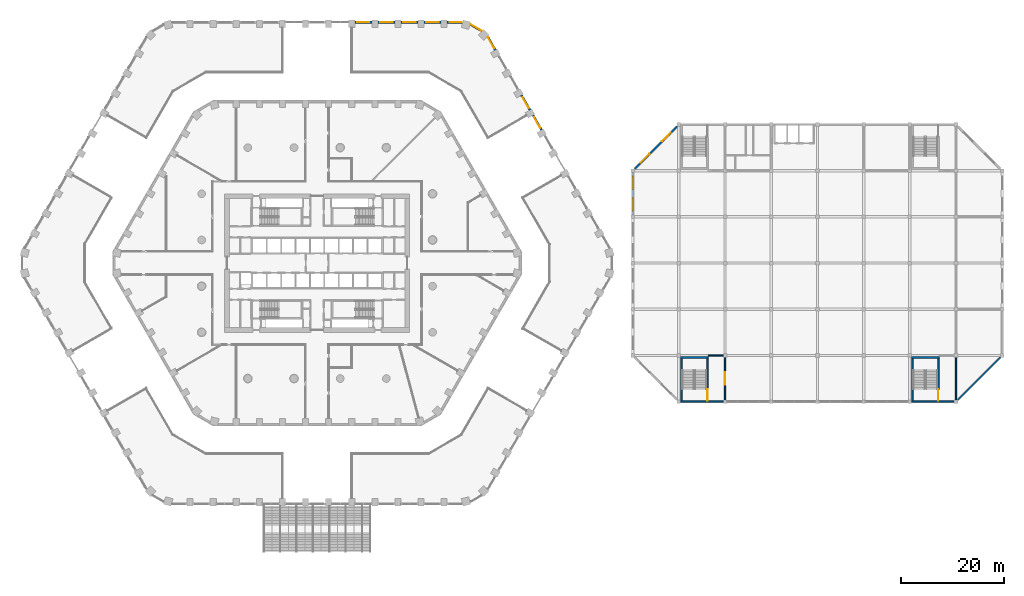
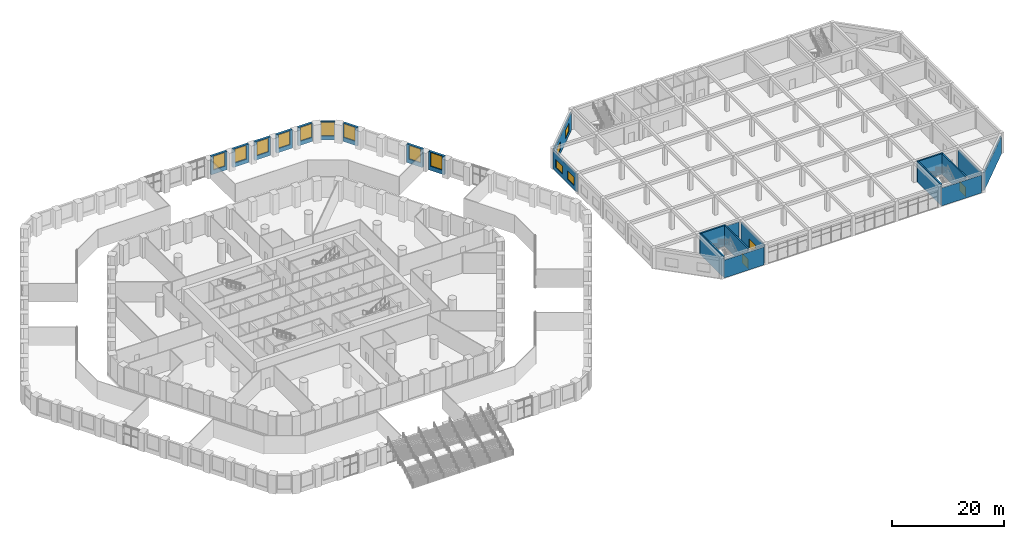
# One storey, part 26 of 42: 23 walls, 13 windows, 3 doors, 16 openings.
"""IFC4 building model written with IfcOpenShell, lengths in metres."""

from ifc_helpers import new_model, si_unit, direction, frame, frame_2d, origin, place, context, subcontext, project, spatial, rectangle, extrude, material, layer, layer_set, type_object, element, fill, save


model = new_model("IFC4")

# Units and contexts
model_context = context("Model", 3, precision=1e-05, world=origin(), true_north=direction((0.0, 1.0)))
body_context = subcontext(model_context, "Body", "Model", "MODEL_VIEW")
ifc_project = project(units=[si_unit("LENGTHUNIT", "METRE"), si_unit("AREAUNIT", "SQUARE_METRE"), si_unit("VOLUMEUNIT", "CUBIC_METRE"), si_unit("PLANEANGLEUNIT", "RADIAN"), si_unit("MASSUNIT", "GRAM", prefix="KILO")], contexts=[model_context])

# Site, building, storey
site_placement = place(None, origin())
site = spatial("IfcSite", under=ifc_project, at=site_placement, CompositionType="ELEMENT")
building_placement = place(site_placement, origin())
building = spatial("IfcBuilding", under=site, at=building_placement, Name="Dhurran Vertical Campus", CompositionType="ELEMENT")
storey_placement = place(building_placement, frame((0.0, 0.0, 6.0)))
storey = spatial("IfcBuildingStorey", under=building, at=storey_placement, Name="L01", CompositionType="ELEMENT", Elevation=6.0)

# Wall, opening, window
ifc_material_1 = material(Name="Precast concrete C50/60", Category="concrete")
ifc_layer_1 = layer(ifc_material_1, 0.449951171875)
ifc_layer_set_1 = layer_set([ifc_layer_1], Name="Precast concrete C50/60")
wall_type_1 = type_object("IfcWallType", Name="Precast base wall 450", PredefinedType="SOLIDWALL", material=ifc_layer_set_1)
wall_1_placement = place(storey_placement, frame((43.728759765625, 25.940185546875, 0.0), z_axis=(0.0, 0.0, 1.0), x_axis=(-0.49995947208, 0.866048801325, 0.0)))
wall_1 = element("IfcWall", 1, at=wall_1_placement, inside=storey, type_object=wall_type_1, Name="EW2 L01.32 ring", PredefinedType="SOLIDWALL", context=body_context, shape_type="SweptSolid", body=[
    extrude(rectangle(XDim=3.299072265625, YDim=0.449951171875, at=frame_2d((1.6494140625, 0.0))), origin(), (0.0, 0.0, 1.0), 4.050048828125),
])
opening_1_placement = place(wall_1_placement, frame((0.449462890625, 0.0, 0.89990234375)))
opening_1 = element("IfcOpeningElement", 2, at=opening_1_placement, cuts=wall_1, Name="Opening WT2", PredefinedType="OPENING", context=body_context, shape_type="SweptSolid", body=[
    extrude(rectangle(XDim=2.39990234375, YDim=3.0, at=frame_2d((1.199951171875, 1.5))), frame((0.0, 0.23486328125, 0.0), z_axis=(0.0, -1.0, 0.0), x_axis=(1.0, 0.0, 0.0)), (0.0, 0.0, 1.0), 0.469970703125),
])
ifc_material_2 = material(Name="Aluminium frame with solar-control glass", Category="aluminium")
window_type_1 = type_object("IfcWindowType", Name="Podium window 2400 x 3000", PartitioningType="SINGLE_PANEL", PredefinedType="WINDOW", material=ifc_material_2)
window_1_placement = place(opening_1_placement, origin())
window_1 = element("IfcWindow", 3, at=window_1_placement, inside=storey, type_object=window_type_1, Name="WT2 L01.32 ring", OverallHeight=3.0, OverallWidth=2.39990234375, PartitioningType="SINGLE_PANEL", PredefinedType="WINDOW", context=body_context, shape_type="SweptSolid", body=[
    extrude(rectangle(XDim=2.39990234375, YDim=3.0, at=frame_2d((1.199951171875, 1.5))), frame((0.0, 0.030029296875, 0.0), z_axis=(0.0, -1.0, 0.0), x_axis=(1.0, 0.0, 0.0)), (0.0, 0.0, 1.0), 0.06005859375),
])
fill(opening_1, window_1)

wall_2_placement = place(storey_placement, frame((41.478759765625, 29.83740234375, 0.0), z_axis=(0.0, 0.0, 1.0), x_axis=(-0.499991515992, 0.866030301974, 0.0)))
wall_2 = element("IfcWall", 4, at=wall_2_placement, inside=storey, type_object=wall_type_1, Name="EW2 L01.33 ring", PredefinedType="SOLIDWALL", context=body_context, shape_type="SweptSolid", body=[
    extrude(rectangle(XDim=3.298828125, YDim=0.449951171875, at=frame_2d((1.6494140625, 0.0))), origin(), (0.0, 0.0, 1.0), 4.050048828125),
])
opening_2_placement = place(wall_2_placement, frame((0.449462890625, 0.0, 0.89990234375)))
opening_2 = element("IfcOpeningElement", 5, at=opening_2_placement, cuts=wall_2, Name="Opening WT2", PredefinedType="OPENING", context=body_context, shape_type="SweptSolid", body=[
    extrude(rectangle(XDim=2.39990234375, YDim=3.0, at=frame_2d((1.199951171875, 1.5))), frame((0.0, 0.23486328125, 0.0), z_axis=(0.0, -1.0, 0.0), x_axis=(1.0, 0.0, 0.0)), (0.0, 0.0, 1.0), 0.469970703125),
])
window_2_placement = place(opening_2_placement, origin())
window_2 = element("IfcWindow", 6, at=window_2_placement, inside=storey, type_object=window_type_1, Name="WT2 L01.33 ring", OverallHeight=3.0, OverallWidth=2.39990234375, PartitioningType="SINGLE_PANEL", PredefinedType="WINDOW", context=body_context, shape_type="SweptSolid", body=[
    extrude(rectangle(XDim=2.39990234375, YDim=3.0, at=frame_2d((1.199951171875, 1.5))), frame((0.0, 0.030029296875, 0.0), z_axis=(0.0, -1.0, 0.0), x_axis=(1.0, 0.0, 0.0)), (0.0, 0.0, 1.0), 0.06005859375),
])
fill(opening_2, window_2)

wall_3_placement = place(storey_placement, frame((34.728759765625, 41.52880859375, 0.0), z_axis=(0.0, 0.0, 1.0), x_axis=(-0.500030648271, 0.866007708274, 0.0)))
wall_3 = element("IfcWall", 7, at=wall_3_placement, inside=storey, type_object=wall_type_1, Name="EW2 L01.36 ring", PredefinedType="SOLIDWALL", context=body_context, shape_type="SweptSolid", body=[
    extrude(rectangle(XDim=2.948486328125, YDim=0.449951171875, at=frame_2d((1.47412109375, 0.0))), origin(), (0.0, 0.0, 1.0), 4.050048828125),
])
opening_3_placement = place(wall_3_placement, frame((0.449462890625, 0.0, 0.89990234375)))
opening_3 = element("IfcOpeningElement", 8, at=opening_3_placement, cuts=wall_3, Name="Opening WT2", PredefinedType="OPENING", context=body_context, shape_type="SweptSolid", body=[
    extrude(rectangle(XDim=2.39990234375, YDim=3.0, at=frame_2d((1.199951171875, 1.5))), frame((0.0, 0.23486328125, 0.0), z_axis=(0.0, -1.0, 0.0), x_axis=(1.0, 0.0, 0.0)), (0.0, 0.0, 1.0), 0.469970703125),
])
window_3_placement = place(opening_3_placement, origin())
window_3 = element("IfcWindow", 9, at=window_3_placement, inside=storey, type_object=window_type_1, Name="WT2 L01.36 ring", OverallHeight=3.0, OverallWidth=2.39990234375, PartitioningType="SINGLE_PANEL", PredefinedType="WINDOW", context=body_context, shape_type="SweptSolid", body=[
    extrude(rectangle(XDim=2.39990234375, YDim=3.0, at=frame_2d((1.199951171875, 1.5))), frame((0.0, 0.030029296875, 0.0), z_axis=(0.0, -1.0, 0.0), x_axis=(1.0, 0.0, 0.0)), (0.0, 0.0, 1.0), 0.06005859375),
])
fill(opening_3, window_3)

wall_4_placement = place(storey_placement, frame((32.111083984375, 45.2255859375, 0.0), z_axis=(0.0, 0.0, 1.0), x_axis=(-0.866019710441, 0.50000986103, 0.0)))
wall_4 = element("IfcWall", 10, at=wall_4_placement, inside=storey, type_object=wall_type_1, Name="EW2 L01.37 ring", PredefinedType="SOLIDWALL", context=body_context, shape_type="SweptSolid", body=[
    extrude(rectangle(XDim=2.59814453125, YDim=0.449951171875, at=frame_2d((1.299072265625, 0.0))), origin(), (0.0, 0.0, 1.0), 4.050048828125),
])
opening_4_placement = place(wall_4_placement, frame((0.09912109375, 0.0, 0.89990234375)))
opening_4 = element("IfcOpeningElement", 11, at=opening_4_placement, cuts=wall_4, Name="Opening WT2", PredefinedType="OPENING", context=body_context, shape_type="SweptSolid", body=[
    extrude(rectangle(XDim=2.39990234375, YDim=3.0, at=frame_2d((1.199951171875, 1.5))), frame((0.0, 0.23486328125, 0.0), z_axis=(0.0, -1.0, 0.0), x_axis=(1.0, 0.0, 0.0)), (0.0, 0.0, 1.0), 0.469970703125),
])
window_4_placement = place(opening_4_placement, origin())
window_4 = element("IfcWindow", 12, at=window_4_placement, inside=storey, type_object=window_type_1, Name="WT2 L01.37 ring", OverallHeight=3.0, OverallWidth=2.39990234375, PartitioningType="SINGLE_PANEL", PredefinedType="WINDOW", context=body_context, shape_type="SweptSolid", body=[
    extrude(rectangle(XDim=2.39990234375, YDim=3.0, at=frame_2d((1.199951171875, 1.5))), frame((0.0, 0.030029296875, 0.0), z_axis=(0.0, -1.0, 0.0), x_axis=(1.0, 0.0, 0.0)), (0.0, 0.0, 1.0), 0.06005859375),
])
fill(opening_4, window_4)

wall_5_placement = place(storey_placement, frame((28.299072265625, 46.943359375, 0.0), z_axis=(0.0, 0.0, 1.0), x_axis=(-1.0, 0.0, 0.0)))
wall_5 = element("IfcWall", 13, at=wall_5_placement, inside=storey, type_object=wall_type_1, Name="EW2 L01.38 ring", PredefinedType="SOLIDWALL", context=body_context, shape_type="SweptSolid", body=[
    extrude(rectangle(XDim=2.948486328125, YDim=0.449951171875, at=frame_2d((1.47412109375, 0.0))), origin(), (0.0, 0.0, 1.0), 4.050048828125),
])
opening_5_placement = place(wall_5_placement, frame((0.09912109375, 0.0, 0.89990234375)))
opening_5 = element("IfcOpeningElement", 14, at=opening_5_placement, cuts=wall_5, Name="Opening WT2", PredefinedType="OPENING", context=body_context, shape_type="SweptSolid", body=[
    extrude(rectangle(XDim=2.39990234375, YDim=3.0, at=frame_2d((1.199951171875, 1.5))), frame((0.0, 0.23486328125, 0.0), z_axis=(0.0, -1.0, 0.0), x_axis=(1.0, 0.0, 0.0)), (0.0, 0.0, 1.0), 0.469970703125),
])
window_5_placement = place(opening_5_placement, origin())
window_5 = element("IfcWindow", 15, at=window_5_placement, inside=storey, type_object=window_type_1, Name="WT2 L01.38 ring", OverallHeight=3.0, OverallWidth=2.39990234375, PartitioningType="SINGLE_PANEL", PredefinedType="WINDOW", context=body_context, shape_type="SweptSolid", body=[
    extrude(rectangle(XDim=2.39990234375, YDim=3.0, at=frame_2d((1.199951171875, 1.5))), frame((0.0, 0.030029296875, 0.0), z_axis=(0.0, -1.0, 0.0), x_axis=(1.0, 0.0, 0.0)), (0.0, 0.0, 1.0), 0.06005859375),
])
fill(opening_5, window_5)

wall_6_placement = place(storey_placement, frame((24.1494140625, 46.943359375, 0.0), z_axis=(0.0, 0.0, 1.0), x_axis=(-1.0, 0.0, 0.0)))
wall_6 = element("IfcWall", 16, at=wall_6_placement, inside=storey, type_object=wall_type_1, Name="EW2 L01.39 ring", PredefinedType="SOLIDWALL", context=body_context, shape_type="SweptSolid", body=[
    extrude(rectangle(XDim=3.298828125, YDim=0.449951171875, at=frame_2d((1.6494140625, 0.0))), origin(), (0.0, 0.0, 1.0), 4.050048828125),
])
opening_6_placement = place(wall_6_placement, frame((0.449462890625, 0.0, 0.89990234375)))
opening_6 = element("IfcOpeningElement", 17, at=opening_6_placement, cuts=wall_6, Name="Opening WT2", PredefinedType="OPENING", context=body_context, shape_type="SweptSolid", body=[
    extrude(rectangle(XDim=2.39990234375, YDim=3.0, at=frame_2d((1.199951171875, 1.5))), frame((0.0, 0.23486328125, 0.0), z_axis=(0.0, -1.0, 0.0), x_axis=(1.0, 0.0, 0.0)), (0.0, 0.0, 1.0), 0.469970703125),
])
window_6_placement = place(opening_6_placement, origin())
window_6 = element("IfcWindow", 18, at=window_6_placement, inside=storey, type_object=window_type_1, Name="WT2 L01.39 ring", OverallHeight=3.0, OverallWidth=2.39990234375, PartitioningType="SINGLE_PANEL", PredefinedType="WINDOW", context=body_context, shape_type="SweptSolid", body=[
    extrude(rectangle(XDim=2.39990234375, YDim=3.0, at=frame_2d((1.199951171875, 1.5))), frame((0.0, 0.030029296875, 0.0), z_axis=(0.0, -1.0, 0.0), x_axis=(1.0, 0.0, 0.0)), (0.0, 0.0, 1.0), 0.06005859375),
])
fill(opening_6, window_6)

wall_7_placement = place(storey_placement, frame((19.6494140625, 46.943359375, 0.0), z_axis=(0.0, 0.0, 1.0), x_axis=(-1.0, 0.0, 0.0)))
wall_7 = element("IfcWall", 19, at=wall_7_placement, inside=storey, type_object=wall_type_1, Name="EW2 L01.40 ring", PredefinedType="SOLIDWALL", context=body_context, shape_type="SweptSolid", body=[
    extrude(rectangle(XDim=3.298828125, YDim=0.449951171875, at=frame_2d((1.6494140625, 0.0))), origin(), (0.0, 0.0, 1.0), 4.050048828125),
])
opening_7_placement = place(wall_7_placement, frame((0.449462890625, 0.0, 0.89990234375)))
opening_7 = element("IfcOpeningElement", 20, at=opening_7_placement, cuts=wall_7, Name="Opening WT2", PredefinedType="OPENING", context=body_context, shape_type="SweptSolid", body=[
    extrude(rectangle(XDim=2.39990234375, YDim=3.0, at=frame_2d((1.199951171875, 1.5))), frame((0.0, 0.23486328125, 0.0), z_axis=(0.0, -1.0, 0.0), x_axis=(1.0, 0.0, 0.0)), (0.0, 0.0, 1.0), 0.469970703125),
])
window_7_placement = place(opening_7_placement, origin())
window_7 = element("IfcWindow", 21, at=window_7_placement, inside=storey, type_object=window_type_1, Name="WT2 L01.40 ring", OverallHeight=3.0, OverallWidth=2.39990234375, PartitioningType="SINGLE_PANEL", PredefinedType="WINDOW", context=body_context, shape_type="SweptSolid", body=[
    extrude(rectangle(XDim=2.39990234375, YDim=3.0, at=frame_2d((1.199951171875, 1.5))), frame((0.0, 0.030029296875, 0.0), z_axis=(0.0, -1.0, 0.0), x_axis=(1.0, 0.0, 0.0)), (0.0, 0.0, 1.0), 0.06005859375),
])
fill(opening_7, window_7)

wall_8_placement = place(storey_placement, frame((15.1494140625, 46.943359375, 0.0), z_axis=(0.0, 0.0, 1.0), x_axis=(-1.0, 0.0, 0.0)))
wall_8 = element("IfcWall", 22, at=wall_8_placement, inside=storey, type_object=wall_type_1, Name="EW2 L01.41 ring", PredefinedType="SOLIDWALL", context=body_context, shape_type="SweptSolid", body=[
    extrude(rectangle(XDim=3.298828125, YDim=0.449951171875, at=frame_2d((1.6494140625, 0.0))), origin(), (0.0, 0.0, 1.0), 4.050048828125),
])
opening_8_placement = place(wall_8_placement, frame((0.449462890625, 0.0, 0.89990234375)))
opening_8 = element("IfcOpeningElement", 23, at=opening_8_placement, cuts=wall_8, Name="Opening WT2", PredefinedType="OPENING", context=body_context, shape_type="SweptSolid", body=[
    extrude(rectangle(XDim=2.39990234375, YDim=3.0, at=frame_2d((1.199951171875, 1.5))), frame((0.0, 0.23486328125, 0.0), z_axis=(0.0, -1.0, 0.0), x_axis=(1.0, 0.0, 0.0)), (0.0, 0.0, 1.0), 0.469970703125),
])
window_8_placement = place(opening_8_placement, origin())
window_8 = element("IfcWindow", 24, at=window_8_placement, inside=storey, type_object=window_type_1, Name="WT2 L01.41 ring", OverallHeight=3.0, OverallWidth=2.39990234375, PartitioningType="SINGLE_PANEL", PredefinedType="WINDOW", context=body_context, shape_type="SweptSolid", body=[
    extrude(rectangle(XDim=2.39990234375, YDim=3.0, at=frame_2d((1.199951171875, 1.5))), frame((0.0, 0.030029296875, 0.0), z_axis=(0.0, -1.0, 0.0), x_axis=(1.0, 0.0, 0.0)), (0.0, 0.0, 1.0), 0.06005859375),
])
fill(opening_8, window_8)

wall_9_placement = place(storey_placement, frame((10.6494140625, 46.943359375, 0.0), z_axis=(0.0, 0.0, 1.0), x_axis=(-1.0, 0.0, 0.0)))
wall_9 = element("IfcWall", 25, at=wall_9_placement, inside=storey, type_object=wall_type_1, Name="EW2 L01.42 ring", PredefinedType="SOLIDWALL", context=body_context, shape_type="SweptSolid", body=[
    extrude(rectangle(XDim=3.298828125, YDim=0.449951171875, at=frame_2d((1.6494140625, 0.0))), origin(), (0.0, 0.0, 1.0), 4.050048828125),
])
opening_9_placement = place(wall_9_placement, frame((0.449462890625, 0.0, 0.89990234375)))
opening_9 = element("IfcOpeningElement", 26, at=opening_9_placement, cuts=wall_9, Name="Opening WT2", PredefinedType="OPENING", context=body_context, shape_type="SweptSolid", body=[
    extrude(rectangle(XDim=2.39990234375, YDim=3.0, at=frame_2d((1.199951171875, 1.5))), frame((0.0, 0.23486328125, 0.0), z_axis=(0.0, -1.0, 0.0), x_axis=(1.0, 0.0, 0.0)), (0.0, 0.0, 1.0), 0.469970703125),
])
window_9_placement = place(opening_9_placement, origin())
window_9 = element("IfcWindow", 27, at=window_9_placement, inside=storey, type_object=window_type_1, Name="WT2 L01.42 ring", OverallHeight=3.0, OverallWidth=2.39990234375, PartitioningType="SINGLE_PANEL", PredefinedType="WINDOW", context=body_context, shape_type="SweptSolid", body=[
    extrude(rectangle(XDim=2.39990234375, YDim=3.0, at=frame_2d((1.199951171875, 1.5))), frame((0.0, 0.030029296875, 0.0), z_axis=(0.0, -1.0, 0.0), x_axis=(1.0, 0.0, 0.0)), (0.0, 0.0, 1.0), 0.06005859375),
])
fill(opening_9, window_9)

# Wall
ifc_material_3 = material(Name="Precast concrete C40/50", Category="concrete")
ifc_layer_2 = layer(ifc_material_3, 0.300048828125)
ifc_layer_set_2 = layer_set([ifc_layer_2], Name="Precast concrete C40/50")
wall_type_2 = type_object("IfcWallType", Name="hl-external wall precast 300", PredefinedType="SOLIDWALL", material=ifc_layer_set_2)
wall_10_placement = place(storey_placement, frame((124.85009765625, -26.64990234375, 0.0), z_axis=(0.0, 0.0, 1.0), x_axis=(0.707106781187, 0.707106781187, 0.0)))
element("IfcWall", 28, at=wall_10_placement, inside=storey, type_object=wall_type_2, Name="Hall external wall L01-012", PredefinedType="SOLIDWALL", context=body_context, shape_type="SweptSolid", body=[
    extrude(rectangle(XDim=11.73779296875, YDim=0.300048828125, at=frame_2d((5.868896484375, 0.0))), origin(), (0.0, 0.0, 1.0), 3.89990234375),
])

# Wall, openings, windows
wall_11_placement = place(storey_placement, frame((70.14990234375, 26.64990234375, 0.0), z_axis=(0.0, 0.0, 1.0), x_axis=(-0.707106781187, -0.707106781187, 0.0)))
wall_11 = element("IfcWall", 29, at=wall_11_placement, inside=storey, type_object=wall_type_2, Name="Hall external wall L01-036", PredefinedType="SOLIDWALL", context=body_context, shape_type="SweptSolid", body=[
    extrude(rectangle(XDim=11.73779296875, YDim=0.300048828125, at=frame_2d((5.868896484375, 0.0))), origin(), (0.0, 0.0, 1.0), 3.89990234375),
])
opening_10_placement = place(wall_11_placement, frame((1.734619140625, 0.0, 0.89990234375)))
opening_10 = element("IfcOpeningElement", 30, at=opening_10_placement, cuts=wall_11, Name="Opening HWN1", PredefinedType="OPENING", context=body_context, shape_type="SweptSolid", body=[
    extrude(rectangle(XDim=2.39990234375, YDim=1.800048828125, at=frame_2d((1.199951171875, 0.89990234375))), frame((0.0, 0.159912109375, 0.0), z_axis=(0.0, -1.0, 0.0), x_axis=(1.0, 0.0, 0.0)), (0.0, 0.0, 1.0), 0.320068359375),
])
opening_11_placement = place(wall_11_placement, frame((7.603515625, 0.0, 0.89990234375)))
opening_11 = element("IfcOpeningElement", 31, at=opening_11_placement, cuts=wall_11, Name="Opening HWN1", PredefinedType="OPENING", context=body_context, shape_type="SweptSolid", body=[
    extrude(rectangle(XDim=2.39990234375, YDim=1.800048828125, at=frame_2d((1.199951171875, 0.89990234375))), frame((0.0, 0.159912109375, 0.0), z_axis=(0.0, -1.0, 0.0), x_axis=(1.0, 0.0, 0.0)), (0.0, 0.0, 1.0), 0.320068359375),
])
ifc_material_4 = material(Name="Aluminium", Category="aluminium")
window_type_2 = type_object("IfcWindowType", Name="hl-window 2400x1800", PartitioningType="SINGLE_PANEL", PredefinedType="WINDOW", material=ifc_material_4)
window_10_placement = place(opening_10_placement, origin())
window_10 = element("IfcWindow", 32, at=window_10_placement, inside=storey, type_object=window_type_2, Name="Hall window L01-023", OverallHeight=1.800048828125, OverallWidth=2.39990234375, PartitioningType="SINGLE_PANEL", PredefinedType="WINDOW", context=body_context, shape_type="SweptSolid", body=[
    extrude(rectangle(XDim=2.39990234375, YDim=1.800048828125, at=frame_2d((1.199951171875, 0.89990234375))), frame((0.0, 0.030029296875, 0.0), z_axis=(0.0, -1.0, 0.0), x_axis=(1.0, 0.0, 0.0)), (0.0, 0.0, 1.0), 0.06005859375),
])
fill(opening_10, window_10)
window_11_placement = place(opening_11_placement, origin())
window_11 = element("IfcWindow", 33, at=window_11_placement, inside=storey, type_object=window_type_2, Name="Hall window L01-024", OverallHeight=1.800048828125, OverallWidth=2.39990234375, PartitioningType="SINGLE_PANEL", PredefinedType="WINDOW", context=body_context, shape_type="SweptSolid", body=[
    extrude(rectangle(XDim=2.39990234375, YDim=1.800048828125, at=frame_2d((1.199951171875, 0.89990234375))), frame((0.0, 0.030029296875, 0.0), z_axis=(0.0, -1.0, 0.0), x_axis=(1.0, 0.0, 0.0)), (0.0, 0.0, 1.0), 0.06005859375),
])
fill(opening_11, window_11)

wall_12_placement = place(storey_placement, frame((61.5, 17.64990234375, 0.0), z_axis=(0.0, 0.0, 1.0), x_axis=(0.0, -1.0, 0.0)))
wall_12 = element("IfcWall", 34, at=wall_12_placement, inside=storey, type_object=wall_type_2, Name="Hall external wall L01-038", PredefinedType="SOLIDWALL", context=body_context, shape_type="SweptSolid", body=[
    extrude(rectangle(XDim=8.2998046875, YDim=0.300048828125, at=frame_2d((4.14990234375, 0.0))), origin(), (0.0, 0.0, 1.0), 3.89990234375),
])
opening_12_placement = place(wall_12_placement, frame((0.875, 0.0, 0.89990234375)))
opening_12 = element("IfcOpeningElement", 35, at=opening_12_placement, cuts=wall_12, Name="Opening HWN1", PredefinedType="OPENING", context=body_context, shape_type="SweptSolid", body=[
    extrude(rectangle(XDim=2.39990234375, YDim=1.800048828125, at=frame_2d((1.199951171875, 0.89990234375))), frame((0.0, 0.159912109375, 0.0), z_axis=(0.0, -1.0, 0.0), x_axis=(1.0, 0.0, 0.0)), (0.0, 0.0, 1.0), 0.320068359375),
])
opening_13_placement = place(wall_12_placement, frame((5.02490234375, 0.0, 0.89990234375)))
opening_13 = element("IfcOpeningElement", 36, at=opening_13_placement, cuts=wall_12, Name="Opening HWN1", PredefinedType="OPENING", context=body_context, shape_type="SweptSolid", body=[
    extrude(rectangle(XDim=2.39990234375, YDim=1.800048828125, at=frame_2d((1.199951171875, 0.89990234375))), frame((0.0, 0.159912109375, 0.0), z_axis=(0.0, -1.0, 0.0), x_axis=(1.0, 0.0, 0.0)), (0.0, 0.0, 1.0), 0.320068359375),
])
window_12_placement = place(opening_12_placement, origin())
window_12 = element("IfcWindow", 37, at=window_12_placement, inside=storey, type_object=window_type_2, Name="Hall window L01-025", OverallHeight=1.800048828125, OverallWidth=2.39990234375, PartitioningType="SINGLE_PANEL", PredefinedType="WINDOW", context=body_context, shape_type="SweptSolid", body=[
    extrude(rectangle(XDim=2.39990234375, YDim=1.800048828125, at=frame_2d((1.199951171875, 0.89990234375))), frame((0.0, 0.030029296875, 0.0), z_axis=(0.0, -1.0, 0.0), x_axis=(1.0, 0.0, 0.0)), (0.0, 0.0, 1.0), 0.06005859375),
])
fill(opening_12, window_12)
window_13_placement = place(opening_13_placement, origin())
window_13 = element("IfcWindow", 38, at=window_13_placement, inside=storey, type_object=window_type_2, Name="Hall window L01-026", OverallHeight=1.800048828125, OverallWidth=2.39990234375, PartitioningType="SINGLE_PANEL", PredefinedType="WINDOW", context=body_context, shape_type="SweptSolid", body=[
    extrude(rectangle(XDim=2.39990234375, YDim=1.800048828125, at=frame_2d((1.199951171875, 0.89990234375))), frame((0.0, 0.030029296875, 0.0), z_axis=(0.0, -1.0, 0.0), x_axis=(1.0, 0.0, 0.0)), (0.0, 0.0, 1.0), 0.06005859375),
])
fill(opening_13, window_13)

# Walls
ifc_material_5 = material(Name="Precast concrete C40/50", Category="concrete")
ifc_layer_3 = layer(ifc_material_5, 0.300048828125)
ifc_layer_set_3 = layer_set([ifc_layer_3], Name="Precast concrete C40/50")
wall_type_3 = type_object("IfcWallType", Name="hl-external wall precast 300 EI 120", PredefinedType="SOLIDWALL", material=ifc_layer_set_3)
for number, where, z_axis, x_axis, name in (
    (39, (70.85009765625, -27.0, 0.0), (0.0, 0.0, 1.0), (1.0, 0.0, 0.0), "Hall external wall L01-004"),
    (40, (115.85009765625, -27.0, 0.0), (0.0, 0.0, 1.0), (1.0, 0.0, 0.0), "Hall external wall L01-010"),
):
    element("IfcWall", number, at=place(storey_placement, frame(where, z_axis=z_axis, x_axis=x_axis)), inside=storey, type_object=wall_type_3, Name=name, PredefinedType="SOLIDWALL", context=body_context, shape_type="SweptSolid", body=[
        extrude(rectangle(XDim=8.2998046875, YDim=0.300048828125, at=frame_2d((4.14990234375, 0.0))), origin(), (0.0, 0.0, 1.0), 3.89990234375),
    ])
ifc_material_6 = material(Name="Masonry blockwork", Category="masonry")
ifc_layer_4 = layer(ifc_material_6, 0.25)
ifc_layer_set_4 = layer_set([ifc_layer_4], Name="Masonry blockwork")
wall_type_4 = type_object("IfcWallType", Name="hl-partition blockwork 250 EI 120", PredefinedType="PARTITIONING", material=ifc_layer_set_4)
wall_13_placement = place(storey_placement, frame((76.199951171875, -18.0, 0.0), z_axis=(0.0, 0.0, 1.0), x_axis=(1.0, 0.0, 0.0)))
element("IfcWall", 41, at=wall_13_placement, inside=storey, type_object=wall_type_4, Name="Hall partition L01-001", PredefinedType="PARTITIONING", context=body_context, shape_type="SweptSolid", body=[
    extrude(rectangle(XDim=2.949951171875, YDim=0.25, at=frame_2d((1.47509765625, 0.0))), origin(), (0.0, 0.0, 1.0), 3.89990234375),
])

# Wall, opening, door
wall_14_placement = place(storey_placement, frame((79.5, -26.64990234375, 0.0), z_axis=(0.0, 0.0, 1.0), x_axis=(0.0, 1.0, 0.0)))
wall_14 = element("IfcWall", 42, at=wall_14_placement, inside=storey, type_object=wall_type_4, Name="Hall partition L01-003", PredefinedType="PARTITIONING", context=body_context, shape_type="SweptSolid", body=[
    extrude(rectangle(XDim=8.2998046875, YDim=0.25, at=frame_2d((4.14990234375, 0.0))), origin(), (0.0, 0.0, 1.0), 3.89990234375),
])
opening_14_placement = place(wall_14_placement, frame((2.949951171875, 0.0, 0.0)))
opening_14 = element("IfcOpeningElement", 43, at=opening_14_placement, cuts=wall_14, Name="Opening HD101", PredefinedType="OPENING", context=body_context, shape_type="SweptSolid", body=[
    extrude(rectangle(XDim=2.39990234375, YDim=2.10009765625, at=frame_2d((1.199951171875, 1.050048828125))), frame((0.0, 0.135009765625, 0.0), z_axis=(0.0, -1.0, 0.0), x_axis=(1.0, 0.0, 0.0)), (0.0, 0.0, 1.0), 0.27001953125),
])
ifc_material_7 = material(Name="Fire-rated steel door set", Category="steel")
door_type_1 = type_object("IfcDoorType", Name="hl-door 2400x2100 double FD90", OperationType="NOTDEFINED", PredefinedType="DOOR", material=ifc_material_7)
door_1_placement = place(opening_14_placement, origin())
door_1 = element("IfcDoor", 44, at=door_1_placement, inside=storey, type_object=door_type_1, Name="Door HD101", OperationType="DOUBLE_DOOR_SINGLE_SWING", OverallHeight=2.10009765625, OverallWidth=2.39990234375, PredefinedType="DOOR", context=body_context, shape_type="SweptSolid", body=[
    extrude(rectangle(XDim=2.39990234375, YDim=2.10009765625, at=frame_2d((1.199951171875, 1.050048828125))), frame((0.0, 0.02490234375, 0.0), z_axis=(0.0, -1.0, 0.0), x_axis=(1.0, 0.0, 0.0)), (0.0, 0.0, 1.0), 0.050048828125),
])
fill(opening_14, door_1)

# Walls
wall_15_placement = place(storey_placement, frame((124.5, -26.64990234375, 0.0), z_axis=(0.0, 0.0, 1.0), x_axis=(0.0, 1.0, 0.0)))
element("IfcWall", 45, at=wall_15_placement, inside=storey, type_object=wall_type_4, Name="Hall partition L01-022", PredefinedType="PARTITIONING", context=body_context, shape_type="SweptSolid", body=[
    extrude(rectangle(XDim=8.2998046875, YDim=0.25, at=frame_2d((4.14990234375, 0.0))), origin(), (0.0, 0.0, 1.0), 3.89990234375),
])
ifc_material_8 = material(Name="Concrete C40/50", Category="concrete")
ifc_layer_5 = layer(ifc_material_8, 0.300048828125)
ifc_layer_set_5 = layer_set([ifc_layer_5], Name="Concrete C40/50")
wall_type_5 = type_object("IfcWallType", Name="hl-stair shaft wall 300", PredefinedType="SHEAR", material=ifc_layer_set_5)
wall_16_placement = place(storey_placement, frame((71.0, -26.85009765625, 0.0), z_axis=(0.0, 0.0, 1.0), x_axis=(0.0, 1.0, 0.0)))
element("IfcWall", 46, at=wall_16_placement, inside=storey, type_object=wall_type_5, Name="Stair shaft wall HST1 W L01", PredefinedType="SHEAR", context=body_context, shape_type="SweptSolid", body=[
    extrude(rectangle(XDim=8.300048828125, YDim=0.300048828125, at=frame_2d((4.14990234375, 0.0))), origin(), (0.0, 0.0, 1.0), 4.52001953125),
])

# Wall, opening, door
wall_17_placement = place(storey_placement, frame((76.050048828125, -26.85009765625, 0.0), z_axis=(0.0, 0.0, 1.0), x_axis=(0.0, 1.0, 0.0)))
wall_17 = element("IfcWall", 47, at=wall_17_placement, inside=storey, type_object=wall_type_5, Name="Stair shaft wall HST1 E L01", PredefinedType="SHEAR", context=body_context, shape_type="SweptSolid", body=[
    extrude(rectangle(XDim=8.300048828125, YDim=0.300048828125, at=frame_2d((4.14990234375, 0.0))), origin(), (0.0, 0.0, 1.0), 4.52001953125),
])
opening_15_placement = place(wall_17_placement, frame((0.050048828125, 0.0, 0.0)))
opening_15 = element("IfcOpeningElement", 48, at=opening_15_placement, cuts=wall_17, Name="Opening HDS11", PredefinedType="OPENING", context=body_context, shape_type="SweptSolid", body=[
    extrude(rectangle(XDim=2.199951171875, YDim=2.10009765625, at=frame_2d((1.10009765625, 1.050048828125))), frame((0.0, 0.159912109375, 0.0), z_axis=(0.0, -1.0, 0.0), x_axis=(1.0, 0.0, 0.0)), (0.0, 0.0, 1.0), 0.320068359375),
])
ifc_material_9 = material(Name="Fire-rated steel door set", Category="steel")
door_type_2 = type_object("IfcDoorType", Name="hl-door 2200x2100 double FD90", OperationType="NOTDEFINED", PredefinedType="DOOR", material=ifc_material_9)
door_2_placement = place(opening_15_placement, origin())
door_2 = element("IfcDoor", 49, at=door_2_placement, inside=storey, type_object=door_type_2, Name="Door HDS11", OperationType="DOUBLE_DOOR_SINGLE_SWING", OverallHeight=2.10009765625, OverallWidth=2.199951171875, PredefinedType="DOOR", context=body_context, shape_type="SweptSolid", body=[
    extrude(rectangle(XDim=2.199951171875, YDim=2.10009765625, at=frame_2d((1.10009765625, 1.050048828125))), frame((0.0, 0.02490234375, 0.0), z_axis=(0.0, -1.0, 0.0), x_axis=(1.0, 0.0, 0.0)), (0.0, 0.0, 1.0), 0.050048828125),
])
fill(opening_15, door_2)

# Walls
wall_18_placement = place(storey_placement, frame((70.85009765625, -18.39990234375, 0.0), z_axis=(0.0, 0.0, 1.0), x_axis=(1.0, 0.0, 0.0)))
element("IfcWall", 50, at=wall_18_placement, inside=storey, type_object=wall_type_5, Name="Stair shaft wall HST1 F L01", PredefinedType="SHEAR", context=body_context, shape_type="SweptSolid", body=[
    extrude(rectangle(XDim=5.349853515625, YDim=0.300048828125, at=frame_2d((2.6748046875, 0.0))), origin(), (0.0, 0.0, 1.0), 4.52001953125),
])
wall_19_placement = place(storey_placement, frame((116.0, -26.85009765625, 0.0), z_axis=(0.0, 0.0, 1.0), x_axis=(0.0, 1.0, 0.0)))
element("IfcWall", 51, at=wall_19_placement, inside=storey, type_object=wall_type_5, Name="Stair shaft wall HST4 W L01", PredefinedType="SHEAR", context=body_context, shape_type="SweptSolid", body=[
    extrude(rectangle(XDim=8.300048828125, YDim=0.300048828125, at=frame_2d((4.14990234375, 0.0))), origin(), (0.0, 0.0, 1.0), 4.52001953125),
])

# Wall, opening, door
wall_20_placement = place(storey_placement, frame((121.050048828125, -26.85009765625, 0.0), z_axis=(0.0, 0.0, 1.0), x_axis=(0.0, 1.0, 0.0)))
wall_20 = element("IfcWall", 52, at=wall_20_placement, inside=storey, type_object=wall_type_5, Name="Stair shaft wall HST4 E L01", PredefinedType="SHEAR", context=body_context, shape_type="SweptSolid", body=[
    extrude(rectangle(XDim=8.300048828125, YDim=0.300048828125, at=frame_2d((4.14990234375, 0.0))), origin(), (0.0, 0.0, 1.0), 4.52001953125),
])
opening_16_placement = place(wall_20_placement, frame((0.050048828125, 0.0, 0.0)))
opening_16 = element("IfcOpeningElement", 53, at=opening_16_placement, cuts=wall_20, Name="Opening HDS14", PredefinedType="OPENING", context=body_context, shape_type="SweptSolid", body=[
    extrude(rectangle(XDim=2.199951171875, YDim=2.10009765625, at=frame_2d((1.10009765625, 1.050048828125))), frame((0.0, 0.159912109375, 0.0), z_axis=(0.0, -1.0, 0.0), x_axis=(1.0, 0.0, 0.0)), (0.0, 0.0, 1.0), 0.320068359375),
])
door_3_placement = place(opening_16_placement, origin())
door_3 = element("IfcDoor", 54, at=door_3_placement, inside=storey, type_object=door_type_2, Name="Door HDS14", OperationType="DOUBLE_DOOR_SINGLE_SWING", OverallHeight=2.10009765625, OverallWidth=2.199951171875, PredefinedType="DOOR", context=body_context, shape_type="SweptSolid", body=[
    extrude(rectangle(XDim=2.199951171875, YDim=2.10009765625, at=frame_2d((1.10009765625, 1.050048828125))), frame((0.0, 0.02490234375, 0.0), z_axis=(0.0, -1.0, 0.0), x_axis=(1.0, 0.0, 0.0)), (0.0, 0.0, 1.0), 0.050048828125),
])
fill(opening_16, door_3)

# Wall
wall_21_placement = place(storey_placement, frame((115.85009765625, -18.39990234375, 0.0), z_axis=(0.0, 0.0, 1.0), x_axis=(1.0, 0.0, 0.0)))
element("IfcWall", 55, at=wall_21_placement, inside=storey, type_object=wall_type_5, Name="Stair shaft wall HST4 F L01", PredefinedType="SHEAR", context=body_context, shape_type="SweptSolid", body=[
    extrude(rectangle(XDim=5.349853515625, YDim=0.300048828125, at=frame_2d((2.6748046875, 0.0))), origin(), (0.0, 0.0, 1.0), 4.52001953125),
])

save(model, "model.ifc")
